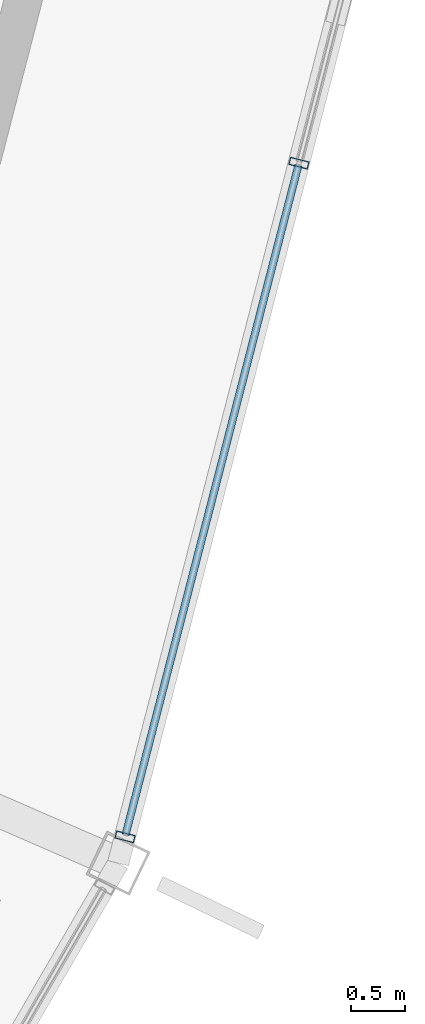
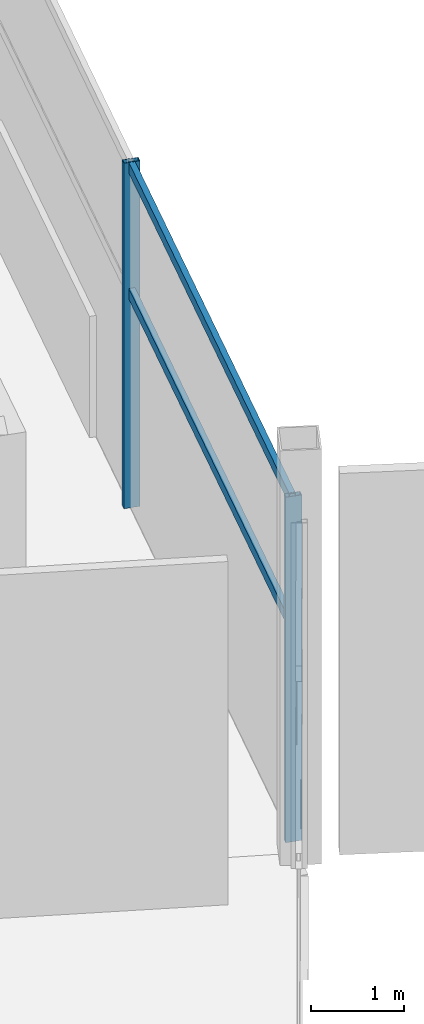
# One storey, part 65 of 186: 4 members, 1 element without a shape of its own.
"""IFC4 building model written with IfcOpenShell, lengths in metres."""

from ifc_helpers import new_model, si_unit, direction, frame, origin, origin_2d, place, context, subcontext, project, spatial, hollow_rectangle, extrude, material, layer, layer_set, material_profile, profile_set, type_object, element, aggregate, save


model = new_model("IFC4")

# Units and contexts
model_context = context("Model", 3, precision=1e-05, world=origin(), true_north=direction((0.0, 1.0)))
body_context = subcontext(model_context, "Body", "Model", "MODEL_VIEW")
ifc_project = project(units=[si_unit("LENGTHUNIT", "METRE"), si_unit("AREAUNIT", "SQUARE_METRE"), si_unit("VOLUMEUNIT", "CUBIC_METRE"), si_unit("PLANEANGLEUNIT", "RADIAN"), si_unit("MASSUNIT", "GRAM", prefix="KILO")], contexts=[model_context])

# Site, building, storey
site_placement = place(None, origin())
site = spatial("IfcSite", under=ifc_project, at=site_placement, CompositionType="ELEMENT")
building_placement = place(site_placement, origin())
building = spatial("IfcBuilding", under=site, at=building_placement, Name="Kazemori Nagisa Stadium", CompositionType="ELEMENT")
storey_placement = place(building_placement, frame((0.0, 0.0, 20.39990234375)))
storey = spatial("IfcBuildingStorey", under=building, at=storey_placement, Name="L04", CompositionType="ELEMENT", Elevation=20.39990234375)

# Curtain wall, members
ifc_material_1 = material(Name="Anodised aluminium 6063-T5", Category="aluminium")
ifc_layer = layer(ifc_material_1, 0.179931640625, Name="Anodised aluminium 6063-T5", Category="aluminium")
ifc_layer_set = layer_set([ifc_layer], Name="Anodised aluminium 6063-T5")
curtain_wall_type = type_object("IfcCurtainWallType", Name="CW_L04R3_98", PredefinedType="USERDEFINED", material=ifc_layer_set)
curtain_wall_placement = place(storey_placement, origin())
curtain_wall = element("IfcCurtainWall", 1, at=curtain_wall_placement, inside=storey, type_object=curtain_wall_type, Name="Unitised curtain wall CW-L04R3-98 L04", ObjectType="UNITISED CURTAIN WALL", PredefinedType="USERDEFINED")
ifc_material_2 = material(Name="Aluminium 6063-T5 anodised", Category="aluminium")
ifc_material_profile_1 = material_profile(ifc_material_2, hollow_rectangle(XDim=0.070068359375, YDim=0.179931640625, WallThickness=0.00390625, at=origin_2d()), Name="ALU-MULL-70x180x4")
ifc_profile_set_1 = profile_set([ifc_material_profile_1], Name="Aluminium 6063-T5 anodised")
member_type_1 = type_object("IfcMemberType", Name="Mullion_M01", PredefinedType="MULLION", material=ifc_profile_set_1)
member_1_placement = place(storey_placement, frame((211.94873046875, 63.497314453125, 0.0), z_axis=(0.0, 0.0, 1.0), x_axis=(0.249964642418, 0.968254965152, 0.0)))
member_1 = element("IfcMember", 2, at=member_1_placement, type_object=member_type_1, Name="Curtain wall mullion CW-L04R3-98-M1", PredefinedType="MULLION", context=body_context, shape_type="SweptSolid", body=[
    extrude(hollow_rectangle(XDim=0.070068359375, YDim=0.179931640625, WallThickness=0.00390625, at=origin_2d()), origin(), (0.0, 0.0, 1.0), 4.530029296875),
])
member_2_placement = place(storey_placement, frame((213.571533203125, 69.783447265625, 0.0), z_axis=(0.0, 0.0, 1.0), x_axis=(0.249964642418, 0.968254965152, 0.0)))
member_2 = element("IfcMember", 3, at=member_2_placement, type_object=member_type_1, Name="Curtain wall mullion CW-L04R3-98-M2", PredefinedType="MULLION", context=body_context, shape_type="SweptSolid", body=[
    extrude(hollow_rectangle(XDim=0.070068359375, YDim=0.179931640625, WallThickness=0.00390625, at=origin_2d()), origin(), (0.0, 0.0, 1.0), 4.530029296875),
])
ifc_material_profile_2 = material_profile(ifc_material_2, hollow_rectangle(XDim=0.070068359375, YDim=0.139892578125, WallThickness=0.00390625, at=origin_2d()), Name="ALU-TRAN-70x140x4")
ifc_profile_set_2 = profile_set([ifc_material_profile_2], Name="Aluminium 6063-T5 anodised")
member_type_2 = type_object("IfcMemberType", Name="Transom_T01", PredefinedType="USERDEFINED", material=ifc_profile_set_2)
member_3_placement = place(storey_placement, frame((211.95361328125, 63.516845703125, 2.80859375), z_axis=(0.249971861357, 0.968253101482, 0.0), x_axis=(-0.968253101482, 0.249971861357, 0.0)))
member_3 = element("IfcMember", 4, at=member_3_placement, type_object=member_type_2, Name="Curtain wall transom CW-L04R3-98-T1-mid", ObjectType="TRANSOM", PredefinedType="USERDEFINED", context=body_context, shape_type="SweptSolid", body=[
    extrude(hollow_rectangle(XDim=0.070068359375, YDim=0.139892578125, WallThickness=0.00390625, at=origin_2d()), origin(), (0.0, 0.0, 1.0), 6.451904296875),
])
member_4_placement = place(storey_placement, frame((211.95361328125, 63.516845703125, 4.460205078125), z_axis=(0.249971861357, 0.968253101482, 0.0), x_axis=(-0.968253101482, 0.249971861357, 0.0)))
member_4 = element("IfcMember", 5, at=member_4_placement, type_object=member_type_2, Name="Curtain wall transom CW-L04R3-98-T1-head", ObjectType="TRANSOM", PredefinedType="USERDEFINED", context=body_context, shape_type="SweptSolid", body=[
    extrude(hollow_rectangle(XDim=0.070068359375, YDim=0.139892578125, WallThickness=0.00390625, at=origin_2d()), origin(), (0.0, 0.0, 1.0), 6.451904296875),
])
aggregate(curtain_wall, [member_1, member_2, member_3, member_4])

save(model, "model.ifc")
